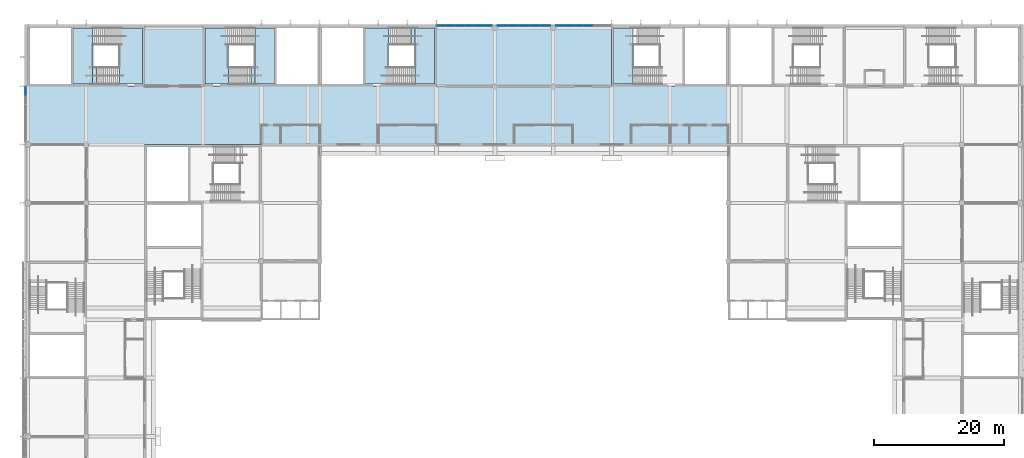
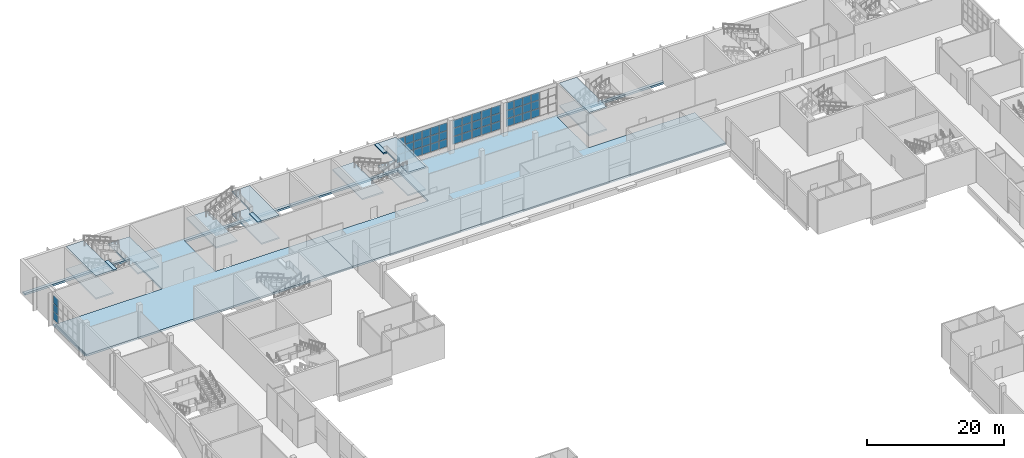
# One storey, part 36 of 89: 48 plates, 16 slabs, 8 elements without a shape of their own.
"""IFC4 building model written with IfcOpenShell, lengths in metres."""

from ifc_helpers import new_model, si_unit, direction, frame, origin, origin_2d, place, context, subcontext, project, spatial, polyline, rectangle, outline, extrude, material, layer, layer_set, type_object, element, aggregate, save


model = new_model("IFC4")

# Units and contexts
model_context = context("Model", 3, precision=1e-05, world=origin(), true_north=direction((0.0, 1.0)))
body_context = subcontext(model_context, "Body", "Model", "MODEL_VIEW")
ifc_project = project(units=[si_unit("LENGTHUNIT", "METRE"), si_unit("AREAUNIT", "SQUARE_METRE"), si_unit("VOLUMEUNIT", "CUBIC_METRE"), si_unit("PLANEANGLEUNIT", "RADIAN"), si_unit("MASSUNIT", "GRAM", prefix="KILO")], contexts=[model_context])

# Site, building, storey
site_placement = place(None, origin())
site = spatial("IfcSite", under=ifc_project, at=site_placement, CompositionType="ELEMENT")
building_placement = place(site_placement, origin())
building = spatial("IfcBuilding", under=site, at=building_placement, Name="Silverbay Arena", CompositionType="ELEMENT")
storey_placement = place(building_placement, frame((0.0, 0.0, 22.0)))
storey = spatial("IfcBuildingStorey", under=building, at=storey_placement, Name="L03", CompositionType="ELEMENT", Elevation=22.0)

# Curtain wall, plates
ifc_material_1 = material(Name="Aluminium framed curtain wall", Category="aluminium")
curtain_wall_type_1 = type_object("IfcCurtainWallType", Name="Curtain wall 8600 x 4400", PredefinedType="NOTDEFINED", material=ifc_material_1)
curtain_wall_1_placement = place(storey_placement, origin())
curtain_wall_1 = element("IfcCurtainWall", 1, at=curtain_wall_1_placement, inside=storey, type_object=curtain_wall_type_1, Name="North curtain wall L03 bay 8", PredefinedType="NOTDEFINED")
ifc_material_2 = material(Name="Laminated glass", Category="glass")
ifc_layer_1 = layer(ifc_material_2, 0.028076171875)
ifc_layer_set_1 = layer_set([ifc_layer_1], Name="Laminated glass")
plate_type = type_object("IfcPlateType", Name="Glass panel 28", PredefinedType="CURTAIN_PANEL", material=ifc_layer_set_1)
plate_1_placement = place(storey_placement, frame((124.868408203125, 144.330078125, 1.050048828125), z_axis=(0.0, 0.0, 1.0), x_axis=(-1.0, 0.0, 0.0)))
plate_1 = element("IfcPlate", 2, at=plate_1_placement, type_object=plate_type, Name="CW12 panel 1.1", PredefinedType="CURTAIN_PANEL", context=body_context, shape_type="SweptSolid", body=[
    extrude(rectangle(XDim=1.34326171875, YDim=0.028076171875, at=origin_2d()), origin(), (0.0, 0.0, 1.0), 1.3916015625),
])
plate_2_placement = place(storey_placement, frame((124.868408203125, 144.330078125, 2.49169921875), z_axis=(0.0, 0.0, 1.0), x_axis=(-1.0, 0.0, 0.0)))
plate_2 = element("IfcPlate", 3, at=plate_2_placement, type_object=plate_type, Name="CW12 panel 1.2", PredefinedType="CURTAIN_PANEL", context=body_context, shape_type="SweptSolid", body=[
    extrude(rectangle(XDim=1.34326171875, YDim=0.028076171875, at=origin_2d()), origin(), (0.0, 0.0, 1.0), 1.416748046875),
])
plate_3_placement = place(storey_placement, frame((124.868408203125, 144.330078125, 3.958251953125), z_axis=(0.0, 0.0, 1.0), x_axis=(-1.0, 0.0, 0.0)))
plate_3 = element("IfcPlate", 4, at=plate_3_placement, type_object=plate_type, Name="CW12 panel 1.3", PredefinedType="CURTAIN_PANEL", context=body_context, shape_type="SweptSolid", body=[
    extrude(rectangle(XDim=1.34326171875, YDim=0.028076171875, at=origin_2d()), origin(), (0.0, 0.0, 1.0), 1.3916015625),
])
plate_4_placement = place(storey_placement, frame((123.449951171875, 144.330078125, 1.050048828125), z_axis=(0.0, 0.0, 1.0), x_axis=(-1.0, 0.0, 0.0)))
plate_4 = element("IfcPlate", 5, at=plate_4_placement, type_object=plate_type, Name="CW12 panel 2.1", PredefinedType="CURTAIN_PANEL", context=body_context, shape_type="SweptSolid", body=[
    extrude(rectangle(XDim=1.373291015625, YDim=0.028076171875, at=origin_2d()), origin(), (0.0, 0.0, 1.0), 1.3916015625),
])
plate_5_placement = place(storey_placement, frame((123.449951171875, 144.330078125, 2.49169921875), z_axis=(0.0, 0.0, 1.0), x_axis=(-1.0, 0.0, 0.0)))
plate_5 = element("IfcPlate", 6, at=plate_5_placement, type_object=plate_type, Name="CW12 panel 2.2", PredefinedType="CURTAIN_PANEL", context=body_context, shape_type="SweptSolid", body=[
    extrude(rectangle(XDim=1.373291015625, YDim=0.028076171875, at=origin_2d()), origin(), (0.0, 0.0, 1.0), 1.416748046875),
])
plate_6_placement = place(storey_placement, frame((123.449951171875, 144.330078125, 3.958251953125), z_axis=(0.0, 0.0, 1.0), x_axis=(-1.0, 0.0, 0.0)))
plate_6 = element("IfcPlate", 7, at=plate_6_placement, type_object=plate_type, Name="CW12 panel 2.3", PredefinedType="CURTAIN_PANEL", context=body_context, shape_type="SweptSolid", body=[
    extrude(rectangle(XDim=1.373291015625, YDim=0.028076171875, at=origin_2d()), origin(), (0.0, 0.0, 1.0), 1.3916015625),
])
plate_7_placement = place(storey_placement, frame((122.0166015625, 144.330078125, 1.050048828125), z_axis=(0.0, 0.0, 1.0), x_axis=(-1.0, 0.0, 0.0)))
plate_7 = element("IfcPlate", 8, at=plate_7_placement, type_object=plate_type, Name="CW12 panel 3.1", PredefinedType="CURTAIN_PANEL", context=body_context, shape_type="SweptSolid", body=[
    extrude(rectangle(XDim=1.373291015625, YDim=0.028076171875, at=origin_2d()), origin(), (0.0, 0.0, 1.0), 1.3916015625),
])
plate_8_placement = place(storey_placement, frame((122.0166015625, 144.330078125, 2.49169921875), z_axis=(0.0, 0.0, 1.0), x_axis=(-1.0, 0.0, 0.0)))
plate_8 = element("IfcPlate", 9, at=plate_8_placement, type_object=plate_type, Name="CW12 panel 3.2", PredefinedType="CURTAIN_PANEL", context=body_context, shape_type="SweptSolid", body=[
    extrude(rectangle(XDim=1.373291015625, YDim=0.028076171875, at=origin_2d()), origin(), (0.0, 0.0, 1.0), 1.416748046875),
])
plate_9_placement = place(storey_placement, frame((122.0166015625, 144.330078125, 3.958251953125), z_axis=(0.0, 0.0, 1.0), x_axis=(-1.0, 0.0, 0.0)))
plate_9 = element("IfcPlate", 10, at=plate_9_placement, type_object=plate_type, Name="CW12 panel 3.3", PredefinedType="CURTAIN_PANEL", context=body_context, shape_type="SweptSolid", body=[
    extrude(rectangle(XDim=1.373291015625, YDim=0.028076171875, at=origin_2d()), origin(), (0.0, 0.0, 1.0), 1.3916015625),
])
plate_10_placement = place(storey_placement, frame((120.583251953125, 144.330078125, 1.050048828125), z_axis=(0.0, 0.0, 1.0), x_axis=(-1.0, 0.0, 0.0)))
plate_10 = element("IfcPlate", 11, at=plate_10_placement, type_object=plate_type, Name="CW12 panel 4.1", PredefinedType="CURTAIN_PANEL", context=body_context, shape_type="SweptSolid", body=[
    extrude(rectangle(XDim=1.373291015625, YDim=0.028076171875, at=origin_2d()), origin(), (0.0, 0.0, 1.0), 1.3916015625),
])
plate_11_placement = place(storey_placement, frame((120.583251953125, 144.330078125, 2.49169921875), z_axis=(0.0, 0.0, 1.0), x_axis=(-1.0, 0.0, 0.0)))
plate_11 = element("IfcPlate", 12, at=plate_11_placement, type_object=plate_type, Name="CW12 panel 4.2", PredefinedType="CURTAIN_PANEL", context=body_context, shape_type="SweptSolid", body=[
    extrude(rectangle(XDim=1.373291015625, YDim=0.028076171875, at=origin_2d()), origin(), (0.0, 0.0, 1.0), 1.416748046875),
])
plate_12_placement = place(storey_placement, frame((120.583251953125, 144.330078125, 3.958251953125), z_axis=(0.0, 0.0, 1.0), x_axis=(-1.0, 0.0, 0.0)))
plate_12 = element("IfcPlate", 13, at=plate_12_placement, type_object=plate_type, Name="CW12 panel 4.3", PredefinedType="CURTAIN_PANEL", context=body_context, shape_type="SweptSolid", body=[
    extrude(rectangle(XDim=1.373291015625, YDim=0.028076171875, at=origin_2d()), origin(), (0.0, 0.0, 1.0), 1.3916015625),
])
plate_13_placement = place(storey_placement, frame((119.14990234375, 144.330078125, 1.050048828125), z_axis=(0.0, 0.0, 1.0), x_axis=(-1.0, 0.0, 0.0)))
plate_13 = element("IfcPlate", 14, at=plate_13_placement, type_object=plate_type, Name="CW12 panel 5.1", PredefinedType="CURTAIN_PANEL", context=body_context, shape_type="SweptSolid", body=[
    extrude(rectangle(XDim=1.373291015625, YDim=0.028076171875, at=origin_2d()), origin(), (0.0, 0.0, 1.0), 1.3916015625),
])
plate_14_placement = place(storey_placement, frame((119.14990234375, 144.330078125, 2.49169921875), z_axis=(0.0, 0.0, 1.0), x_axis=(-1.0, 0.0, 0.0)))
plate_14 = element("IfcPlate", 15, at=plate_14_placement, type_object=plate_type, Name="CW12 panel 5.2", PredefinedType="CURTAIN_PANEL", context=body_context, shape_type="SweptSolid", body=[
    extrude(rectangle(XDim=1.373291015625, YDim=0.028076171875, at=origin_2d()), origin(), (0.0, 0.0, 1.0), 1.416748046875),
])
plate_15_placement = place(storey_placement, frame((119.14990234375, 144.330078125, 3.958251953125), z_axis=(0.0, 0.0, 1.0), x_axis=(-1.0, 0.0, 0.0)))
plate_15 = element("IfcPlate", 16, at=plate_15_placement, type_object=plate_type, Name="CW12 panel 5.3", PredefinedType="CURTAIN_PANEL", context=body_context, shape_type="SweptSolid", body=[
    extrude(rectangle(XDim=1.373291015625, YDim=0.028076171875, at=origin_2d()), origin(), (0.0, 0.0, 1.0), 1.3916015625),
])
plate_16_placement = place(storey_placement, frame((117.731689453125, 144.330078125, 1.050048828125), z_axis=(0.0, 0.0, 1.0), x_axis=(-1.0, 0.0, 0.0)))
plate_16 = element("IfcPlate", 17, at=plate_16_placement, type_object=plate_type, Name="CW12 panel 6.1", PredefinedType="CURTAIN_PANEL", context=body_context, shape_type="SweptSolid", body=[
    extrude(rectangle(XDim=1.34326171875, YDim=0.028076171875, at=origin_2d()), origin(), (0.0, 0.0, 1.0), 1.3916015625),
])
plate_17_placement = place(storey_placement, frame((117.731689453125, 144.330078125, 2.49169921875), z_axis=(0.0, 0.0, 1.0), x_axis=(-1.0, 0.0, 0.0)))
plate_17 = element("IfcPlate", 18, at=plate_17_placement, type_object=plate_type, Name="CW12 panel 6.2", PredefinedType="CURTAIN_PANEL", context=body_context, shape_type="SweptSolid", body=[
    extrude(rectangle(XDim=1.34326171875, YDim=0.028076171875, at=origin_2d()), origin(), (0.0, 0.0, 1.0), 1.416748046875),
])
plate_18_placement = place(storey_placement, frame((117.731689453125, 144.330078125, 3.958251953125), z_axis=(0.0, 0.0, 1.0), x_axis=(-1.0, 0.0, 0.0)))
plate_18 = element("IfcPlate", 19, at=plate_18_placement, type_object=plate_type, Name="CW12 panel 6.3", PredefinedType="CURTAIN_PANEL", context=body_context, shape_type="SweptSolid", body=[
    extrude(rectangle(XDim=1.34326171875, YDim=0.028076171875, at=origin_2d()), origin(), (0.0, 0.0, 1.0), 1.3916015625),
])
aggregate(curtain_wall_1, [plate_1, plate_2, plate_3, plate_4, plate_5, plate_6, plate_7, plate_8, plate_9, plate_10, plate_11, plate_12, plate_13, plate_14, plate_15, plate_16, plate_17, plate_18])

ifc_material_3 = material(Name="Aluminium framed curtain wall", Category="aluminium")
curtain_wall_type_2 = type_object("IfcCurtainWallType", Name="Curtain wall 8200 x 4400", PredefinedType="NOTDEFINED", material=ifc_material_3)
curtain_wall_2_placement = place(storey_placement, origin())
curtain_wall_2 = element("IfcCurtainWall", 20, at=curtain_wall_2_placement, inside=storey, type_object=curtain_wall_type_2, Name="North curtain wall L03 bay 9", PredefinedType="NOTDEFINED")
plate_19_placement = place(storey_placement, frame((133.764892578125, 144.330078125, 1.050048828125), z_axis=(0.0, 0.0, 1.0), x_axis=(-1.0, 0.0, 0.0)))
plate_19 = element("IfcPlate", 21, at=plate_19_placement, type_object=plate_type, Name="CW13 panel 1.1", PredefinedType="CURTAIN_PANEL", context=body_context, shape_type="SweptSolid", body=[
    extrude(rectangle(XDim=1.550048828125, YDim=0.028076171875, at=origin_2d()), origin(), (0.0, 0.0, 1.0), 1.3916015625),
])
plate_20_placement = place(storey_placement, frame((133.764892578125, 144.330078125, 2.49169921875), z_axis=(0.0, 0.0, 1.0), x_axis=(-1.0, 0.0, 0.0)))
plate_20 = element("IfcPlate", 22, at=plate_20_placement, type_object=plate_type, Name="CW13 panel 1.2", PredefinedType="CURTAIN_PANEL", context=body_context, shape_type="SweptSolid", body=[
    extrude(rectangle(XDim=1.550048828125, YDim=0.028076171875, at=origin_2d()), origin(), (0.0, 0.0, 1.0), 1.416748046875),
])
plate_21_placement = place(storey_placement, frame((133.764892578125, 144.330078125, 3.958251953125), z_axis=(0.0, 0.0, 1.0), x_axis=(-1.0, 0.0, 0.0)))
plate_21 = element("IfcPlate", 23, at=plate_21_placement, type_object=plate_type, Name="CW13 panel 1.3", PredefinedType="CURTAIN_PANEL", context=body_context, shape_type="SweptSolid", body=[
    extrude(rectangle(XDim=1.550048828125, YDim=0.028076171875, at=origin_2d()), origin(), (0.0, 0.0, 1.0), 1.3916015625),
])
plate_22_placement = place(storey_placement, frame((132.139892578125, 144.330078125, 1.050048828125), z_axis=(0.0, 0.0, 1.0), x_axis=(-1.0, 0.0, 0.0)))
plate_22 = element("IfcPlate", 24, at=plate_22_placement, type_object=plate_type, Name="CW13 panel 2.1", PredefinedType="CURTAIN_PANEL", context=body_context, shape_type="SweptSolid", body=[
    extrude(rectangle(XDim=1.580078125, YDim=0.028076171875, at=origin_2d()), origin(), (0.0, 0.0, 1.0), 1.3916015625),
])
plate_23_placement = place(storey_placement, frame((132.139892578125, 144.330078125, 2.49169921875), z_axis=(0.0, 0.0, 1.0), x_axis=(-1.0, 0.0, 0.0)))
plate_23 = element("IfcPlate", 25, at=plate_23_placement, type_object=plate_type, Name="CW13 panel 2.2", PredefinedType="CURTAIN_PANEL", context=body_context, shape_type="SweptSolid", body=[
    extrude(rectangle(XDim=1.580078125, YDim=0.028076171875, at=origin_2d()), origin(), (0.0, 0.0, 1.0), 1.416748046875),
])
plate_24_placement = place(storey_placement, frame((132.139892578125, 144.330078125, 3.958251953125), z_axis=(0.0, 0.0, 1.0), x_axis=(-1.0, 0.0, 0.0)))
plate_24 = element("IfcPlate", 26, at=plate_24_placement, type_object=plate_type, Name="CW13 panel 2.3", PredefinedType="CURTAIN_PANEL", context=body_context, shape_type="SweptSolid", body=[
    extrude(rectangle(XDim=1.580078125, YDim=0.028076171875, at=origin_2d()), origin(), (0.0, 0.0, 1.0), 1.3916015625),
])
plate_25_placement = place(storey_placement, frame((130.5, 144.330078125, 1.050048828125), z_axis=(0.0, 0.0, 1.0), x_axis=(-1.0, 0.0, 0.0)))
plate_25 = element("IfcPlate", 27, at=plate_25_placement, type_object=plate_type, Name="CW13 panel 3.1", PredefinedType="CURTAIN_PANEL", context=body_context, shape_type="SweptSolid", body=[
    extrude(rectangle(XDim=1.580078125, YDim=0.028076171875, at=origin_2d()), origin(), (0.0, 0.0, 1.0), 1.3916015625),
])
plate_26_placement = place(storey_placement, frame((130.5, 144.330078125, 2.49169921875), z_axis=(0.0, 0.0, 1.0), x_axis=(-1.0, 0.0, 0.0)))
plate_26 = element("IfcPlate", 28, at=plate_26_placement, type_object=plate_type, Name="CW13 panel 3.2", PredefinedType="CURTAIN_PANEL", context=body_context, shape_type="SweptSolid", body=[
    extrude(rectangle(XDim=1.580078125, YDim=0.028076171875, at=origin_2d()), origin(), (0.0, 0.0, 1.0), 1.416748046875),
])
plate_27_placement = place(storey_placement, frame((130.5, 144.330078125, 3.958251953125), z_axis=(0.0, 0.0, 1.0), x_axis=(-1.0, 0.0, 0.0)))
plate_27 = element("IfcPlate", 29, at=plate_27_placement, type_object=plate_type, Name="CW13 panel 3.3", PredefinedType="CURTAIN_PANEL", context=body_context, shape_type="SweptSolid", body=[
    extrude(rectangle(XDim=1.580078125, YDim=0.028076171875, at=origin_2d()), origin(), (0.0, 0.0, 1.0), 1.3916015625),
])
plate_28_placement = place(storey_placement, frame((128.860107421875, 144.330078125, 1.050048828125), z_axis=(0.0, 0.0, 1.0), x_axis=(-1.0, 0.0, 0.0)))
plate_28 = element("IfcPlate", 30, at=plate_28_placement, type_object=plate_type, Name="CW13 panel 4.1", PredefinedType="CURTAIN_PANEL", context=body_context, shape_type="SweptSolid", body=[
    extrude(rectangle(XDim=1.580078125, YDim=0.028076171875, at=origin_2d()), origin(), (0.0, 0.0, 1.0), 1.3916015625),
])
plate_29_placement = place(storey_placement, frame((128.860107421875, 144.330078125, 2.49169921875), z_axis=(0.0, 0.0, 1.0), x_axis=(-1.0, 0.0, 0.0)))
plate_29 = element("IfcPlate", 31, at=plate_29_placement, type_object=plate_type, Name="CW13 panel 4.2", PredefinedType="CURTAIN_PANEL", context=body_context, shape_type="SweptSolid", body=[
    extrude(rectangle(XDim=1.580078125, YDim=0.028076171875, at=origin_2d()), origin(), (0.0, 0.0, 1.0), 1.416748046875),
])
plate_30_placement = place(storey_placement, frame((128.860107421875, 144.330078125, 3.958251953125), z_axis=(0.0, 0.0, 1.0), x_axis=(-1.0, 0.0, 0.0)))
plate_30 = element("IfcPlate", 32, at=plate_30_placement, type_object=plate_type, Name="CW13 panel 4.3", PredefinedType="CURTAIN_PANEL", context=body_context, shape_type="SweptSolid", body=[
    extrude(rectangle(XDim=1.580078125, YDim=0.028076171875, at=origin_2d()), origin(), (0.0, 0.0, 1.0), 1.3916015625),
])
plate_31_placement = place(storey_placement, frame((127.235107421875, 144.330078125, 1.050048828125), z_axis=(0.0, 0.0, 1.0), x_axis=(-1.0, 0.0, 0.0)))
plate_31 = element("IfcPlate", 33, at=plate_31_placement, type_object=plate_type, Name="CW13 panel 5.1", PredefinedType="CURTAIN_PANEL", context=body_context, shape_type="SweptSolid", body=[
    extrude(rectangle(XDim=1.550048828125, YDim=0.028076171875, at=origin_2d()), origin(), (0.0, 0.0, 1.0), 1.3916015625),
])
plate_32_placement = place(storey_placement, frame((127.235107421875, 144.330078125, 2.49169921875), z_axis=(0.0, 0.0, 1.0), x_axis=(-1.0, 0.0, 0.0)))
plate_32 = element("IfcPlate", 34, at=plate_32_placement, type_object=plate_type, Name="CW13 panel 5.2", PredefinedType="CURTAIN_PANEL", context=body_context, shape_type="SweptSolid", body=[
    extrude(rectangle(XDim=1.550048828125, YDim=0.028076171875, at=origin_2d()), origin(), (0.0, 0.0, 1.0), 1.416748046875),
])
plate_33_placement = place(storey_placement, frame((127.235107421875, 144.330078125, 3.958251953125), z_axis=(0.0, 0.0, 1.0), x_axis=(-1.0, 0.0, 0.0)))
plate_33 = element("IfcPlate", 35, at=plate_33_placement, type_object=plate_type, Name="CW13 panel 5.3", PredefinedType="CURTAIN_PANEL", context=body_context, shape_type="SweptSolid", body=[
    extrude(rectangle(XDim=1.550048828125, YDim=0.028076171875, at=origin_2d()), origin(), (0.0, 0.0, 1.0), 1.3916015625),
])
aggregate(curtain_wall_2, [plate_19, plate_20, plate_21, plate_22, plate_23, plate_24, plate_25, plate_26, plate_27, plate_28, plate_29, plate_30, plate_31, plate_32, plate_33])

curtain_wall_3_placement = place(storey_placement, origin())
curtain_wall_3 = element("IfcCurtainWall", 36, at=curtain_wall_3_placement, inside=storey, type_object=curtain_wall_type_1, Name="North curtain wall L03 bay 10", PredefinedType="NOTDEFINED")
plate_34_placement = place(storey_placement, frame((140.416748046875, 144.330078125, 1.050048828125), z_axis=(0.0, 0.0, 1.0), x_axis=(-1.0, 0.0, 0.0)))
plate_34 = element("IfcPlate", 37, at=plate_34_placement, type_object=plate_type, Name="CW12 panel 3.1", PredefinedType="CURTAIN_PANEL", context=body_context, shape_type="SweptSolid", body=[
    extrude(rectangle(XDim=1.373291015625, YDim=0.028076171875, at=origin_2d()), origin(), (0.0, 0.0, 1.0), 1.3916015625),
])
plate_35_placement = place(storey_placement, frame((140.416748046875, 144.330078125, 2.49169921875), z_axis=(0.0, 0.0, 1.0), x_axis=(-1.0, 0.0, 0.0)))
plate_35 = element("IfcPlate", 38, at=plate_35_placement, type_object=plate_type, Name="CW12 panel 3.2", PredefinedType="CURTAIN_PANEL", context=body_context, shape_type="SweptSolid", body=[
    extrude(rectangle(XDim=1.373291015625, YDim=0.028076171875, at=origin_2d()), origin(), (0.0, 0.0, 1.0), 1.416748046875),
])
plate_36_placement = place(storey_placement, frame((140.416748046875, 144.330078125, 3.958251953125), z_axis=(0.0, 0.0, 1.0), x_axis=(-1.0, 0.0, 0.0)))
plate_36 = element("IfcPlate", 39, at=plate_36_placement, type_object=plate_type, Name="CW12 panel 3.3", PredefinedType="CURTAIN_PANEL", context=body_context, shape_type="SweptSolid", body=[
    extrude(rectangle(XDim=1.373291015625, YDim=0.028076171875, at=origin_2d()), origin(), (0.0, 0.0, 1.0), 1.3916015625),
])
plate_37_placement = place(storey_placement, frame((138.9833984375, 144.330078125, 1.050048828125), z_axis=(0.0, 0.0, 1.0), x_axis=(-1.0, 0.0, 0.0)))
plate_37 = element("IfcPlate", 40, at=plate_37_placement, type_object=plate_type, Name="CW12 panel 4.1", PredefinedType="CURTAIN_PANEL", context=body_context, shape_type="SweptSolid", body=[
    extrude(rectangle(XDim=1.373291015625, YDim=0.028076171875, at=origin_2d()), origin(), (0.0, 0.0, 1.0), 1.3916015625),
])
plate_38_placement = place(storey_placement, frame((138.9833984375, 144.330078125, 2.49169921875), z_axis=(0.0, 0.0, 1.0), x_axis=(-1.0, 0.0, 0.0)))
plate_38 = element("IfcPlate", 41, at=plate_38_placement, type_object=plate_type, Name="CW12 panel 4.2", PredefinedType="CURTAIN_PANEL", context=body_context, shape_type="SweptSolid", body=[
    extrude(rectangle(XDim=1.373291015625, YDim=0.028076171875, at=origin_2d()), origin(), (0.0, 0.0, 1.0), 1.416748046875),
])
plate_39_placement = place(storey_placement, frame((138.9833984375, 144.330078125, 3.958251953125), z_axis=(0.0, 0.0, 1.0), x_axis=(-1.0, 0.0, 0.0)))
plate_39 = element("IfcPlate", 42, at=plate_39_placement, type_object=plate_type, Name="CW12 panel 4.3", PredefinedType="CURTAIN_PANEL", context=body_context, shape_type="SweptSolid", body=[
    extrude(rectangle(XDim=1.373291015625, YDim=0.028076171875, at=origin_2d()), origin(), (0.0, 0.0, 1.0), 1.3916015625),
])
plate_40_placement = place(storey_placement, frame((137.550048828125, 144.330078125, 1.050048828125), z_axis=(0.0, 0.0, 1.0), x_axis=(-1.0, 0.0, 0.0)))
plate_40 = element("IfcPlate", 43, at=plate_40_placement, type_object=plate_type, Name="CW12 panel 5.1", PredefinedType="CURTAIN_PANEL", context=body_context, shape_type="SweptSolid", body=[
    extrude(rectangle(XDim=1.373291015625, YDim=0.028076171875, at=origin_2d()), origin(), (0.0, 0.0, 1.0), 1.3916015625),
])
plate_41_placement = place(storey_placement, frame((137.550048828125, 144.330078125, 2.49169921875), z_axis=(0.0, 0.0, 1.0), x_axis=(-1.0, 0.0, 0.0)))
plate_41 = element("IfcPlate", 44, at=plate_41_placement, type_object=plate_type, Name="CW12 panel 5.2", PredefinedType="CURTAIN_PANEL", context=body_context, shape_type="SweptSolid", body=[
    extrude(rectangle(XDim=1.373291015625, YDim=0.028076171875, at=origin_2d()), origin(), (0.0, 0.0, 1.0), 1.416748046875),
])
plate_42_placement = place(storey_placement, frame((137.550048828125, 144.330078125, 3.958251953125), z_axis=(0.0, 0.0, 1.0), x_axis=(-1.0, 0.0, 0.0)))
plate_42 = element("IfcPlate", 45, at=plate_42_placement, type_object=plate_type, Name="CW12 panel 5.3", PredefinedType="CURTAIN_PANEL", context=body_context, shape_type="SweptSolid", body=[
    extrude(rectangle(XDim=1.373291015625, YDim=0.028076171875, at=origin_2d()), origin(), (0.0, 0.0, 1.0), 1.3916015625),
])
plate_43_placement = place(storey_placement, frame((136.131591796875, 144.330078125, 1.050048828125), z_axis=(0.0, 0.0, 1.0), x_axis=(-1.0, 0.0, 0.0)))
plate_43 = element("IfcPlate", 46, at=plate_43_placement, type_object=plate_type, Name="CW12 panel 6.1", PredefinedType="CURTAIN_PANEL", context=body_context, shape_type="SweptSolid", body=[
    extrude(rectangle(XDim=1.34326171875, YDim=0.028076171875, at=origin_2d()), origin(), (0.0, 0.0, 1.0), 1.3916015625),
])
plate_44_placement = place(storey_placement, frame((136.131591796875, 144.330078125, 2.49169921875), z_axis=(0.0, 0.0, 1.0), x_axis=(-1.0, 0.0, 0.0)))
plate_44 = element("IfcPlate", 47, at=plate_44_placement, type_object=plate_type, Name="CW12 panel 6.2", PredefinedType="CURTAIN_PANEL", context=body_context, shape_type="SweptSolid", body=[
    extrude(rectangle(XDim=1.34326171875, YDim=0.028076171875, at=origin_2d()), origin(), (0.0, 0.0, 1.0), 1.416748046875),
])
plate_45_placement = place(storey_placement, frame((136.131591796875, 144.330078125, 3.958251953125), z_axis=(0.0, 0.0, 1.0), x_axis=(-1.0, 0.0, 0.0)))
plate_45 = element("IfcPlate", 48, at=plate_45_placement, type_object=plate_type, Name="CW12 panel 6.3", PredefinedType="CURTAIN_PANEL", context=body_context, shape_type="SweptSolid", body=[
    extrude(rectangle(XDim=1.34326171875, YDim=0.028076171875, at=origin_2d()), origin(), (0.0, 0.0, 1.0), 1.3916015625),
])
aggregate(curtain_wall_3, [plate_34, plate_35, plate_36, plate_37, plate_38, plate_39, plate_40, plate_41, plate_42, plate_43, plate_44, plate_45])

curtain_wall_4_placement = place(storey_placement, origin())
curtain_wall_4 = element("IfcCurtainWall", 49, at=curtain_wall_4_placement, inside=storey, type_object=curtain_wall_type_1, Name="West curtain wall L03 bay 13", PredefinedType="NOTDEFINED")
plate_46_placement = place(storey_placement, frame((53.669921875, 134.268310546875, 1.050048828125), z_axis=(0.0, 0.0, 1.0), x_axis=(0.0, -1.0, 0.0)))
plate_46 = element("IfcPlate", 50, at=plate_46_placement, type_object=plate_type, Name="CW12 panel 1.1", PredefinedType="CURTAIN_PANEL", context=body_context, shape_type="SweptSolid", body=[
    extrude(rectangle(XDim=1.34326171875, YDim=0.028076171875, at=origin_2d()), origin(), (0.0, 0.0, 1.0), 1.3916015625),
])
plate_47_placement = place(storey_placement, frame((53.669921875, 134.268310546875, 2.49169921875), z_axis=(0.0, 0.0, 1.0), x_axis=(0.0, -1.0, 0.0)))
plate_47 = element("IfcPlate", 51, at=plate_47_placement, type_object=plate_type, Name="CW12 panel 1.2", PredefinedType="CURTAIN_PANEL", context=body_context, shape_type="SweptSolid", body=[
    extrude(rectangle(XDim=1.34326171875, YDim=0.028076171875, at=origin_2d()), origin(), (0.0, 0.0, 1.0), 1.416748046875),
])
plate_48_placement = place(storey_placement, frame((53.669921875, 134.268310546875, 3.958251953125), z_axis=(0.0, 0.0, 1.0), x_axis=(0.0, -1.0, 0.0)))
plate_48 = element("IfcPlate", 52, at=plate_48_placement, type_object=plate_type, Name="CW12 panel 1.3", PredefinedType="CURTAIN_PANEL", context=body_context, shape_type="SweptSolid", body=[
    extrude(rectangle(XDim=1.34326171875, YDim=0.028076171875, at=origin_2d()), origin(), (0.0, 0.0, 1.0), 1.3916015625),
])
aggregate(curtain_wall_4, [plate_46, plate_47, plate_48])

# Slabs
ifc_material_4 = material(Name="Concrete Grade C45", Category="concrete")
ifc_layer_2 = layer(ifc_material_4, 0.35009765625)
ifc_layer_set_2 = layer_set([ifc_layer_2], Name="Concrete Grade C45")
slab_type_1 = type_object("IfcSlabType", Name="RC floor slab 350", PredefinedType="FLOOR", material=ifc_layer_set_2)
slab_1_placement = place(storey_placement, frame((0.0, 0.0, -0.35009765625)))
element("IfcSlab", 53, at=slab_1_placement, inside=storey, type_object=slab_type_1, Name="Floor slab L03 unit 12", PredefinedType="FLOOR", context=body_context, shape_type="SweptSolid", body=[
    extrude(outline(polyline([(53.75, 134.675048828125), (53.75, 135.25), (54.0, 135.25), (54.0, 135.074951171875), (54.074951171875, 135.074951171875), (54.074951171875, 135.0), (72.0, 135.0), (72.0, 144.0), (54.074951171875, 144.0), (54.074951171875, 143.925048828125), (54.0, 143.925048828125), (54.0, 144.574951171875), (54.074951171875, 144.574951171875), (54.074951171875, 144.5), (99.0, 144.5), (99.0, 144.0), (81.0, 144.0), (81.0, 135.0), (99.0, 135.0), (99.0, 126.02490234375), (54.074951171875, 126.02490234375), (54.074951171875, 134.925048828125), (54.0, 134.925048828125), (54.0, 126.199951171875), (53.824951171875, 126.199951171875), (53.824951171875, 134.675048828125), (53.75, 134.675048828125)])), origin(), (0.0, 0.0, 1.0), 0.35009765625),
])
slab_2_placement = place(storey_placement, frame((0.0, 0.0, -0.35009765625)))
element("IfcSlab", 54, at=slab_2_placement, inside=storey, type_object=slab_type_1, Name="Floor slab L03 unit 13", PredefinedType="FLOOR", context=body_context, shape_type="SweptSolid", body=[
    extrude(outline(polyline([(99.0, 126.02490234375), (99.0, 135.0), (117.0, 135.0), (117.0, 144.0), (99.0, 144.0), (99.0, 144.5), (162.0, 144.5), (162.0, 144.0), (144.0, 144.0), (144.0, 135.0), (162.0, 135.0), (162.0, 126.02490234375), (99.0, 126.02490234375)])), origin(), (0.0, 0.0, 1.0), 0.35009765625),
])

# Stair, slab
ifc_material_5 = material(Name="Concrete Grade C45", Category="concrete")
stair_type = type_object("IfcStairType", Name="Stair 2600 wide 48 risers 125.0 x 300", PredefinedType="HALF_TURN_STAIR", material=ifc_material_5)
stair_1_placement = place(storey_placement, origin())
stair_1 = element("IfcStair", 55, at=stair_1_placement, inside=storey, type_object=stair_type, Name="Stair ST-N1 L03 to L04", PredefinedType="HALF_TURN_STAIR")
ifc_material_6 = material(Name="Concrete Grade C45", Category="concrete")
ifc_layer_3 = layer(ifc_material_6, 0.25)
ifc_layer_set_3 = layer_set([ifc_layer_3], Name="Concrete Grade C45")
slab_type_2 = type_object("IfcSlabType", Name="Stair arrival platform RC 250", PredefinedType="FLOOR", material=ifc_layer_set_3)
slab_3_placement = place(storey_placement, frame((0.0, 0.0, 5.75)))
slab_3 = element("IfcSlab", 56, at=slab_3_placement, type_object=slab_type_2, Name="Stair ST-N1 L03 to L04 arrival platform 4", PredefinedType="FLOOR", context=body_context, shape_type="SweptSolid", body=[
    extrude(outline(polyline([(88.39990234375, 135.300048828125), (89.010009765625, 135.300048828125), (89.010009765625, 137.89990234375), (88.39990234375, 137.89990234375), (88.39990234375, 135.300048828125)])), origin(), (0.0, 0.0, 1.0), 0.25),
])

stair_2_placement = place(storey_placement, origin())
stair_2 = element("IfcStair", 57, at=stair_2_placement, inside=storey, type_object=stair_type, Name="Stair ST-N2 L03 to L04", PredefinedType="HALF_TURN_STAIR")
slab_4_placement = place(storey_placement, frame((0.0, 0.0, 5.75)))
slab_4 = element("IfcSlab", 58, at=slab_4_placement, type_object=slab_type_2, Name="Stair ST-N2 L03 to L04 arrival platform 4", PredefinedType="FLOOR", context=body_context, shape_type="SweptSolid", body=[
    extrude(outline(polyline([(113.10009765625, 141.39990234375), (113.7099609375, 141.39990234375), (113.7099609375, 144.0), (113.10009765625, 144.0), (113.10009765625, 141.39990234375)])), origin(), (0.0, 0.0, 1.0), 0.25),
])

stair_3_placement = place(storey_placement, origin())
stair_3 = element("IfcStair", 59, at=stair_3_placement, inside=storey, type_object=stair_type, Name="Stair ST-N5 L03 to L04", PredefinedType="HALF_TURN_STAIR")
slab_5_placement = place(storey_placement, frame((0.0, 0.0, 5.75)))
slab_5 = element("IfcSlab", 60, at=slab_5_placement, type_object=slab_type_2, Name="Stair ST-N5 L03 to L04 arrival platform 4", PredefinedType="FLOOR", context=body_context, shape_type="SweptSolid", body=[
    extrude(outline(polyline([(64.60009765625, 135.300048828125), (63.989990234375, 135.300048828125), (63.989990234375, 137.89990234375), (64.60009765625, 137.89990234375), (64.60009765625, 135.300048828125)])), origin(), (0.0, 0.0, 1.0), 0.25),
])

# Slab
ifc_material_7 = material(Name="Concrete Grade C45", Category="concrete")
ifc_layer_4 = layer(ifc_material_7, 0.25)
ifc_layer_set_4 = layer_set([ifc_layer_4], Name="Concrete Grade C45")
slab_type_3 = type_object("IfcSlabType", Name="Stair landing RC 250", PredefinedType="LANDING", material=ifc_layer_set_4)
slab_6_placement = place(storey_placement, frame((0.0, 0.0, 1.75)))
slab_6 = element("IfcSlab", 61, at=slab_6_placement, type_object=slab_type_3, Name="Stair ST-N1 L03 to L04 landing 1", PredefinedType="LANDING", context=body_context, shape_type="SweptSolid", body=[
    extrude(outline(polyline([(89.010009765625, 135.300048828125), (92.0, 135.300048828125), (92.0, 144.0), (89.010009765625, 144.0), (89.010009765625, 135.300048828125)])), origin(), (0.0, 0.0, 1.0), 0.25),
])

slab_7_placement = place(storey_placement, frame((0.0, 0.0, 3.75)))
slab_7 = element("IfcSlab", 62, at=slab_7_placement, type_object=slab_type_3, Name="Stair ST-N1 L03 to L04 landing 2", PredefinedType="LANDING", context=body_context, shape_type="SweptSolid", body=[
    extrude(outline(polyline([(81.300048828125, 135.300048828125), (84.89990234375, 135.300048828125), (84.89990234375, 144.0), (81.300048828125, 144.0), (81.300048828125, 135.300048828125)])), origin(), (0.0, 0.0, 1.0), 0.25),
])

slab_8_placement = place(storey_placement, frame((0.0, 0.0, 5.75)))
slab_8 = element("IfcSlab", 63, at=slab_8_placement, type_object=slab_type_3, Name="Stair ST-N1 L03 to L04 landing 3", PredefinedType="LANDING", context=body_context, shape_type="SweptSolid", body=[
    extrude(outline(polyline([(89.010009765625, 135.300048828125), (92.0, 135.300048828125), (92.0, 144.0), (89.010009765625, 144.0), (89.010009765625, 135.300048828125)])), origin(), (0.0, 0.0, 1.0), 0.25),
])

aggregate(stair_1, [slab_6, slab_7, slab_8, slab_3])

slab_9_placement = place(storey_placement, frame((0.0, 0.0, 1.75)))
slab_9 = element("IfcSlab", 64, at=slab_9_placement, type_object=slab_type_3, Name="Stair ST-N2 L03 to L04 landing 1", PredefinedType="LANDING", context=body_context, shape_type="SweptSolid", body=[
    extrude(outline(polyline([(113.7099609375, 135.300048828125), (116.699951171875, 135.300048828125), (116.699951171875, 144.0), (113.7099609375, 144.0), (113.7099609375, 135.300048828125)])), origin(), (0.0, 0.0, 1.0), 0.25),
])

slab_10_placement = place(storey_placement, frame((0.0, 0.0, 3.75)))
slab_10 = element("IfcSlab", 65, at=slab_10_placement, type_object=slab_type_3, Name="Stair ST-N2 L03 to L04 landing 2", PredefinedType="LANDING", context=body_context, shape_type="SweptSolid", body=[
    extrude(outline(polyline([(106.0, 135.300048828125), (109.60009765625, 135.300048828125), (109.60009765625, 144.0), (106.0, 144.0), (106.0, 135.300048828125)])), origin(), (0.0, 0.0, 1.0), 0.25),
])

slab_11_placement = place(storey_placement, frame((0.0, 0.0, 5.75)))
slab_11 = element("IfcSlab", 66, at=slab_11_placement, type_object=slab_type_3, Name="Stair ST-N2 L03 to L04 landing 3", PredefinedType="LANDING", context=body_context, shape_type="SweptSolid", body=[
    extrude(outline(polyline([(113.7099609375, 135.300048828125), (116.699951171875, 135.300048828125), (116.699951171875, 144.0), (113.7099609375, 144.0), (113.7099609375, 135.300048828125)])), origin(), (0.0, 0.0, 1.0), 0.25),
])

aggregate(stair_2, [slab_9, slab_10, slab_11, slab_4])

# Stair, slabs
stair_4_placement = place(storey_placement, origin())
stair_4 = element("IfcStair", 67, at=stair_4_placement, inside=storey, type_object=stair_type, Name="Stair ST-N3 L03 to L04", PredefinedType="HALF_TURN_STAIR")
slab_12_placement = place(storey_placement, frame((0.0, 0.0, 1.75)))
slab_12 = element("IfcSlab", 68, at=slab_12_placement, type_object=slab_type_3, Name="Stair ST-N3 L03 to L04 landing 1", PredefinedType="LANDING", context=body_context, shape_type="SweptSolid", body=[
    extrude(outline(polyline([(147.2900390625, 135.300048828125), (144.300048828125, 135.300048828125), (144.300048828125, 144.0), (147.2900390625, 144.0), (147.2900390625, 135.300048828125)])), origin(), (0.0, 0.0, 1.0), 0.25),
])
slab_13_placement = place(storey_placement, frame((0.0, 0.0, 5.75)))
slab_13 = element("IfcSlab", 69, at=slab_13_placement, type_object=slab_type_3, Name="Stair ST-N3 L03 to L04 landing 3", PredefinedType="LANDING", context=body_context, shape_type="SweptSolid", body=[
    extrude(outline(polyline([(147.2900390625, 135.300048828125), (144.300048828125, 135.300048828125), (144.300048828125, 144.0), (147.2900390625, 144.0), (147.2900390625, 135.300048828125)])), origin(), (0.0, 0.0, 1.0), 0.25),
])
aggregate(stair_4, [slab_12, slab_13])

# Slab
slab_14_placement = place(storey_placement, frame((0.0, 0.0, 1.75)))
slab_14 = element("IfcSlab", 70, at=slab_14_placement, type_object=slab_type_3, Name="Stair ST-N5 L03 to L04 landing 1", PredefinedType="LANDING", context=body_context, shape_type="SweptSolid", body=[
    extrude(outline(polyline([(63.989990234375, 135.300048828125), (61.0, 135.300048828125), (61.0, 144.0), (63.989990234375, 144.0), (63.989990234375, 135.300048828125)])), origin(), (0.0, 0.0, 1.0), 0.25),
])

slab_15_placement = place(storey_placement, frame((0.0, 0.0, 3.75)))
slab_15 = element("IfcSlab", 71, at=slab_15_placement, type_object=slab_type_3, Name="Stair ST-N5 L03 to L04 landing 2", PredefinedType="LANDING", context=body_context, shape_type="SweptSolid", body=[
    extrude(outline(polyline([(71.699951171875, 135.300048828125), (68.10009765625, 135.300048828125), (68.10009765625, 144.0), (71.699951171875, 144.0), (71.699951171875, 135.300048828125)])), origin(), (0.0, 0.0, 1.0), 0.25),
])

slab_16_placement = place(storey_placement, frame((0.0, 0.0, 5.75)))
slab_16 = element("IfcSlab", 72, at=slab_16_placement, type_object=slab_type_3, Name="Stair ST-N5 L03 to L04 landing 3", PredefinedType="LANDING", context=body_context, shape_type="SweptSolid", body=[
    extrude(outline(polyline([(63.989990234375, 135.300048828125), (61.0, 135.300048828125), (61.0, 144.0), (63.989990234375, 144.0), (63.989990234375, 135.300048828125)])), origin(), (0.0, 0.0, 1.0), 0.25),
])

aggregate(stair_3, [slab_14, slab_15, slab_16, slab_5])

save(model, "model.ifc")
